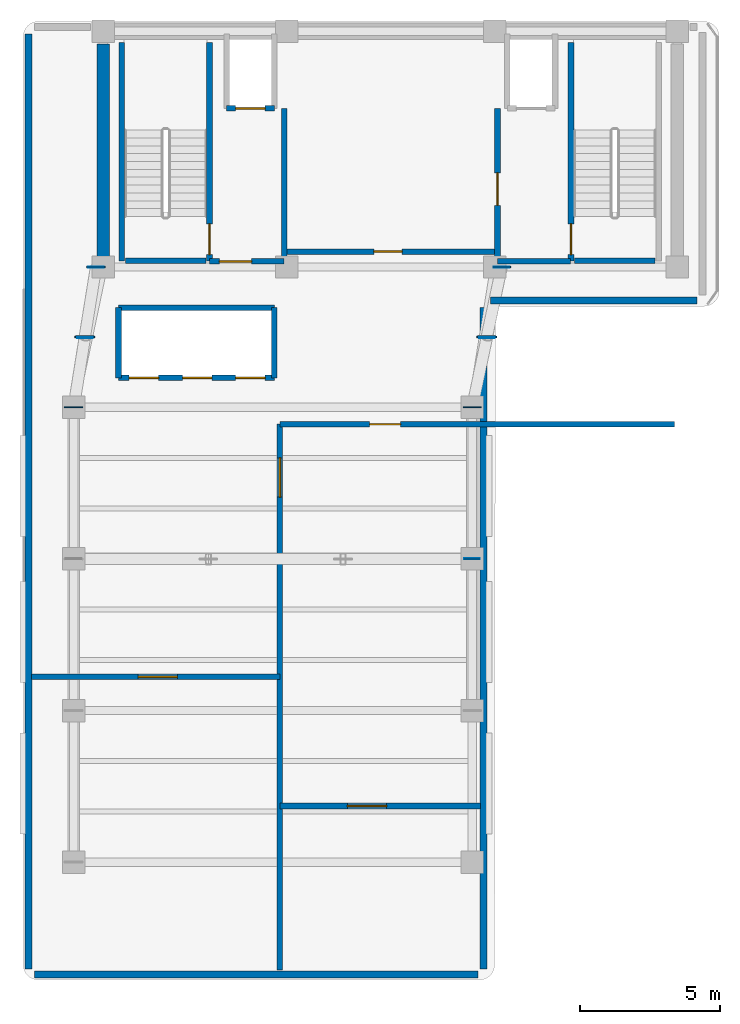
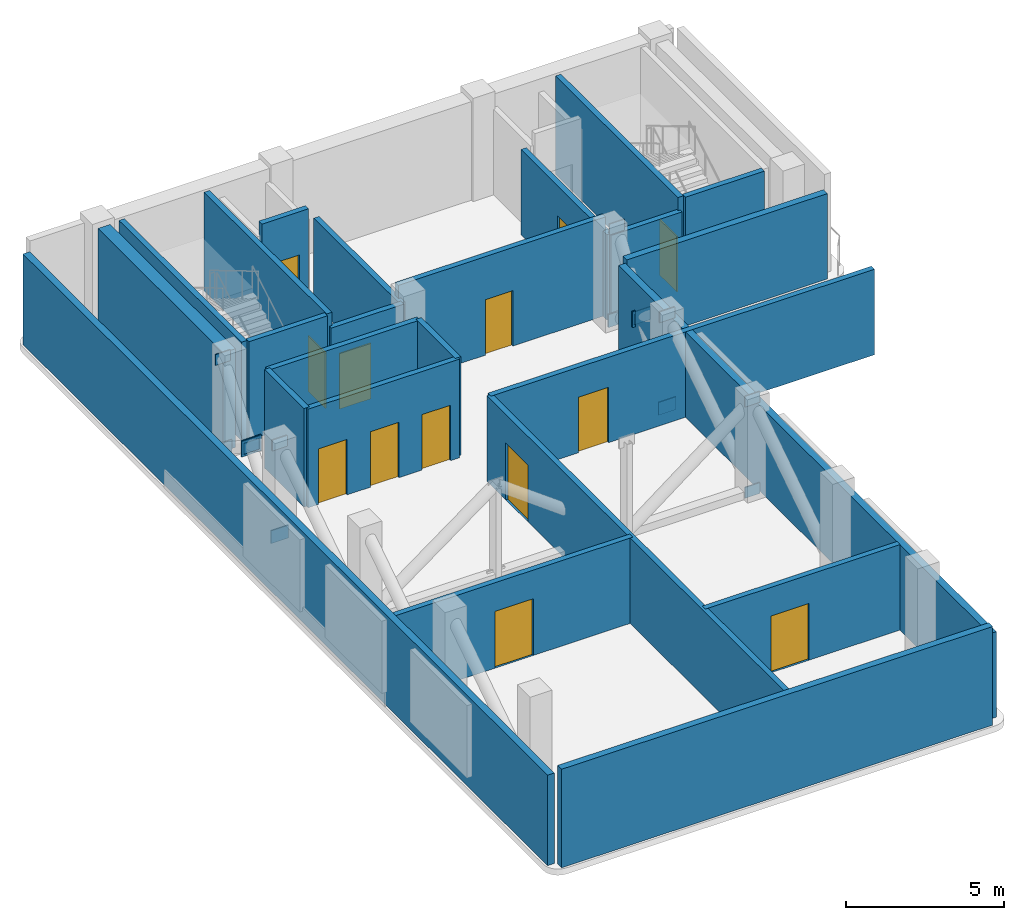
# One storey, part 2 of 5: 24 walls, 16 plates, 13 doors, 13 openings.
"""IFC4 building model written with IfcOpenShell, lengths in metres."""

from ifc_helpers import new_model, si_unit, direction, frame, frame_2d, origin, origin_2d, place, context, subcontext, project, spatial, rectangle, extrude, material, layer, layer_set, type_object, element, fill, save


model = new_model("IFC4")

# Units and contexts
model_context = context("Model", 3, precision=1e-05, world=origin(), true_north=direction((0.0, 1.0)))
body_context = subcontext(model_context, "Body", "Model", "MODEL_VIEW")
ifc_project = project(units=[si_unit("LENGTHUNIT", "METRE"), si_unit("AREAUNIT", "SQUARE_METRE"), si_unit("VOLUMEUNIT", "CUBIC_METRE"), si_unit("PLANEANGLEUNIT", "RADIAN"), si_unit("MASSUNIT", "GRAM", prefix="KILO")], contexts=[model_context])

# Site, building, storey
site_placement = place(None, origin())
site = spatial("IfcSite", under=ifc_project, at=site_placement, CompositionType="ELEMENT")
building_placement = place(site_placement, origin())
building = spatial("IfcBuilding", under=site, at=building_placement, Name="Kuzgunbayir Cultural Tower", CompositionType="ELEMENT")
storey_placement = place(building_placement, frame((0.0, 0.0, 214.39990234375)))
storey = spatial("IfcBuildingStorey", under=building, at=storey_placement, Name="L63", CompositionType="ELEMENT", Elevation=214.39990234375)

# Plates
ifc_material_1 = material(Name="Steel S460M", Category="steel")
ifc_layer_1 = layer(ifc_material_1, 0.034912109375)
ifc_layer_set_1 = layer_set([ifc_layer_1], Name="Steel S460M")
plate_type_1 = type_object("IfcPlateType", Name="PLT-CAP-END-35", PredefinedType="USERDEFINED", material=ifc_layer_set_1)
for number, where, z_axis, x_axis, name in (
    (1, (5.800048828125, 31.280029296875, 1.670166015625), (0.0, 0.0, 1.0), (1.0, 0.0, 0.0), "L63 Hollow End Cap Plate ONT-L63-XW-B1 End"),
    (2, (6.199951171875, 33.800048828125, 3.440185546875), (0.0, 0.0, 1.0), (1.0, 0.0, 0.0), "L63 Hollow End Cap Plate ONT-L63-XW-B2 End"),
    (3, (20.1201171875, 31.280029296875, 1.670166015625), (0.0, 0.0, 1.0), (1.0, 0.0, 0.0), "L63 Hollow End Cap Plate ONT-L63-XE-B1 End"),
    (4, (20.64990234375, 33.800048828125, 3.440185546875), (0.0, 0.0, 1.0), (1.0, 0.0, 0.0), "L63 Hollow End Cap Plate ONT-L63-XE-B2 End"),
    (5, (19.60009765625, 23.39990234375, 3.440185546875), (0.0, 0.0, 1.0), (1.0, 0.0, 0.0), "L63 Hollow End Cap Plate ONT-L63-3 End"),
):
    element("IfcPlate", number, at=place(storey_placement, frame(where, z_axis=z_axis, x_axis=x_axis)), inside=storey, type_object=plate_type_1, Name=name, ObjectType="END_CAP_PLATE", PredefinedType="USERDEFINED", context=body_context, shape_type="SweptSolid", body=[
        extrude(rectangle(XDim=0.550048828125, YDim=0.034912109375, at=origin_2d()), origin(), (0.0, 0.0, 1.0), 0.419921875),
    ])
ifc_layer_2 = layer(ifc_material_1, 0.0400390625)
ifc_layer_set_2 = layer_set([ifc_layer_2], Name="Steel S460M")
plate_type_2 = type_object("IfcPlateType", Name="PLT-CAP-END-40", PredefinedType="USERDEFINED", material=ifc_layer_set_2)
for number, where, z_axis, x_axis, name in (
    (6, (19.60009765625, 23.39990234375, -0.08984375), (0.0, 0.0, 1.0), (1.0, 0.0, 0.0), "L63 Hollow End Cap Plate CHD-L63 End"),
    (7, (5.39990234375, 28.800048828125, 3.440185546875), (0.0, 0.0, 1.0), (1.0, 0.0, 0.0), "L63 Hollow End Cap Plate ONT-L63-XW-A End"),
    (8, (19.60009765625, 28.800048828125, 3.440185546875), (0.0, 0.0, 1.0), (1.0, 0.0, 0.0), "L63 Hollow End Cap Plate ONT-L63-XE-A End"),
):
    element("IfcPlate", number, at=place(storey_placement, frame(where, z_axis=z_axis, x_axis=x_axis)), inside=storey, type_object=plate_type_2, Name=name, ObjectType="END_CAP_PLATE", PredefinedType="USERDEFINED", context=body_context, shape_type="SweptSolid", body=[
        extrude(rectangle(XDim=0.550048828125, YDim=0.0400390625, at=origin_2d()), origin(), (0.0, 0.0, 1.0), 0.419921875),
    ])
ifc_layer_3 = layer(ifc_material_1, 0.044921875)
ifc_layer_set_3 = layer_set([ifc_layer_3], Name="Steel S460M")
plate_type_3 = type_object("IfcPlateType", Name="PLT-NODE-GUSSET-45", PredefinedType="USERDEFINED", material=ifc_layer_set_3)
for number, where, z_axis, x_axis, name in (
    (9, (5.39990234375, 28.800048828125, -0.1298828125), (0.0, 0.0, 1.0), (1.0, 0.0, 0.0), "L63 Truss Gusset Plate ONT-L63-XW-B1 Start"),
    (10, (5.800048828125, 31.320068359375, 1.650146484375), (0.0, 0.0, 1.0), (1.0, 0.0, 0.0), "L63 Truss Gusset Plate ONT-L63-XW-B2 Start"),
    (11, (19.60009765625, 28.800048828125, -0.1298828125), (0.0, 0.0, 1.0), (1.0, 0.0, 0.0), "L63 Truss Gusset Plate ONT-L63-XE-B1 Start"),
    (12, (20.1201171875, 31.320068359375, 1.650146484375), (0.0, 0.0, 1.0), (1.0, 0.0, 0.0), "L63 Truss Gusset Plate ONT-L63-XE-B2 Start"),
):
    element("IfcPlate", number, at=place(storey_placement, frame(where, z_axis=z_axis, x_axis=x_axis)), inside=storey, type_object=plate_type_3, Name=name, ObjectType="GUSSET_PLATE", PredefinedType="USERDEFINED", context=body_context, shape_type="SweptSolid", body=[
        extrude(rectangle(XDim=0.64990234375, YDim=0.044921875, at=origin_2d()), origin(), (0.0, 0.0, 1.0), 0.5),
    ])
ifc_layer_4 = layer(ifc_material_1, 0.050048828125)
ifc_layer_set_4 = layer_set([ifc_layer_4], Name="Steel S460M")
plate_type_4 = type_object("IfcPlateType", Name="PLT-NODE-GUSSET-50", PredefinedType="USERDEFINED", material=ifc_layer_set_4)
plate_1_placement = place(storey_placement, frame((6.199951171875, 33.800048828125, -0.1298828125), z_axis=(0.0, 0.0, 1.0), x_axis=(1.0, 0.0, 0.0)))
element("IfcPlate", 13, at=plate_1_placement, inside=storey, type_object=plate_type_4, Name="L63 Truss Gusset Plate ONT-L63-XW-A Start", ObjectType="GUSSET_PLATE", PredefinedType="USERDEFINED", context=body_context, shape_type="SweptSolid", body=[
    extrude(rectangle(XDim=0.64990234375, YDim=0.050048828125, at=origin_2d()), origin(), (0.0, 0.0, 1.0), 0.5),
])
plate_2_placement = place(storey_placement, frame((5.800048828125, 31.300048828125, 1.580078125), z_axis=(0.0, 0.0, 1.0), x_axis=(1.0, 0.0, 0.0)))
element("IfcPlate", 14, at=plate_2_placement, inside=storey, type_object=plate_type_4, Name="L63 X-Brace Central Crossing Gusset Plate ONT-L63-XW", ObjectType="GUSSET_PLATE", PredefinedType="USERDEFINED", context=body_context, shape_type="SweptSolid", body=[
    extrude(rectangle(XDim=0.719970703125, YDim=0.050048828125, at=origin_2d()), origin(), (0.0, 0.0, 1.0), 0.6201171875),
])
plate_3_placement = place(storey_placement, frame((20.64990234375, 33.800048828125, -0.1298828125), z_axis=(0.0, 0.0, 1.0), x_axis=(1.0, 0.0, 0.0)))
element("IfcPlate", 15, at=plate_3_placement, inside=storey, type_object=plate_type_4, Name="L63 Truss Gusset Plate ONT-L63-XE-A Start", ObjectType="GUSSET_PLATE", PredefinedType="USERDEFINED", context=body_context, shape_type="SweptSolid", body=[
    extrude(rectangle(XDim=0.64990234375, YDim=0.050048828125, at=origin_2d()), origin(), (0.0, 0.0, 1.0), 0.5),
])
plate_4_placement = place(storey_placement, frame((20.1201171875, 31.300048828125, 1.580078125), z_axis=(0.0, 0.0, 1.0), x_axis=(1.0, 0.0, 0.0)))
element("IfcPlate", 16, at=plate_4_placement, inside=storey, type_object=plate_type_4, Name="L63 X-Brace Central Crossing Gusset Plate ONT-L63-XE", ObjectType="GUSSET_PLATE", PredefinedType="USERDEFINED", context=body_context, shape_type="SweptSolid", body=[
    extrude(rectangle(XDim=0.719970703125, YDim=0.050048828125, at=origin_2d()), origin(), (0.0, 0.0, 1.0), 0.6201171875),
])

# Walls
ifc_material_2 = material(Name="Concrete C50/60", Category="concrete")
ifc_layer_5 = layer(ifc_material_2, 0.449951171875)
ifc_layer_set_5 = layer_set([ifc_layer_5], Name="Concrete C50/60")
wall_type_1 = type_object("IfcWallType", Name="WAL-CORE-450", PredefinedType="SHEAR", material=ifc_layer_set_5)
wall_1_placement = place(storey_placement, frame((6.449951171875, 33.800048828125, 0.0), z_axis=(0.0, 0.0, 1.0), x_axis=(0.0, 1.0, 0.0)))
element("IfcWall", 17, at=wall_1_placement, inside=storey, type_object=wall_type_1, Name="L63 T1 Core West Shear Wall", PredefinedType="SHEAR", context=body_context, shape_type="SweptSolid", body=[
    extrude(rectangle(XDim=7.949951171875, YDim=0.449951171875, at=frame_2d((3.97509765625, 0.0))), origin(), (0.0, 0.0, 1.0), 3.820068359375),
])
ifc_material_3 = material(Name="Concrete C40/50", Category="concrete")
ifc_layer_6 = layer(ifc_material_3, 0.25)
ifc_layer_set_6 = layer_set([ifc_layer_6], Name="Concrete C40/50")
wall_type_2 = type_object("IfcWallType", Name="WAL-EXT-PLANT-250", PredefinedType="STANDARD", material=ifc_layer_set_6)
wall_2_placement = place(storey_placement, frame((4.0, 8.60009765625, 0.0), z_axis=(0.0, 0.0, 1.0), x_axis=(1.0, 0.0, 0.0)))
element("IfcWall", 18, at=wall_2_placement, inside=storey, type_object=wall_type_2, Name="L63 Wing A South Limestone Wall", PredefinedType="STANDARD", context=body_context, shape_type="SweptSolid", body=[
    extrude(rectangle(XDim=15.800048828125, YDim=0.25, at=frame_2d((7.89990234375, 0.0))), origin(), (0.0, 0.0, 1.0), 3.820068359375),
])
wall_3_placement = place(storey_placement, frame((3.800048828125, 42.10009765625, 0.0), z_axis=(0.0, 0.0, 1.0), x_axis=(0.0, -1.0, 0.0)))
element("IfcWall", 19, at=wall_3_placement, inside=storey, type_object=wall_type_2, Name="L63 Wing A West Limestone Wall", PredefinedType="STANDARD", context=body_context, shape_type="SweptSolid", body=[
    extrude(rectangle(XDim=33.300048828125, YDim=0.25, at=frame_2d((16.64990234375, 0.0))), origin(), (0.0, 0.0, 1.0), 3.510009765625),
])
wall_4_placement = place(storey_placement, frame((20.0, 8.800048828125, 0.0), z_axis=(0.0, 0.0, 1.0), x_axis=(0.0, 1.0, 0.0)))
element("IfcWall", 20, at=wall_4_placement, inside=storey, type_object=wall_type_2, Name="L63 Wing A East Limestone Wall", PredefinedType="STANDARD", context=body_context, shape_type="SweptSolid", body=[
    extrude(rectangle(XDim=23.550048828125, YDim=0.25, at=frame_2d((11.77490234375, 0.0))), origin(), (0.0, 0.0, 1.0), 3.31005859375),
])
wall_5_placement = place(storey_placement, frame((20.25, 32.60009765625, 0.0), z_axis=(0.0, 0.0, 1.0), x_axis=(1.0, 0.0, 0.0)))
element("IfcWall", 21, at=wall_5_placement, inside=storey, type_object=wall_type_2, Name="L63 Core South Soffit Wall", PredefinedType="STANDARD", context=body_context, shape_type="SweptSolid", body=[
    extrude(rectangle(XDim=7.35009765625, YDim=0.25, at=frame_2d((3.675048828125, 0.0))), origin(), (0.0, 0.0, 1.0), 3.31005859375),
])
ifc_material_4 = material(Name="Aerated Concrete Blockwork", Category="masonry")
ifc_layer_7 = layer(ifc_material_4, 0.199951171875)
ifc_layer_set_7 = layer_set([ifc_layer_7], Name="Aerated Concrete Blockwork")
wall_type_3 = type_object("IfcWallType", Name="WAL-PART-FIRE-200", PredefinedType="PARTITIONING", material=ifc_layer_set_7)
wall_6_placement = place(storey_placement, frame((12.89990234375, 34.0, 0.0), z_axis=(0.0, 0.0, 1.0), x_axis=(0.0, 1.0, 0.0)))
element("IfcWall", 22, at=wall_6_placement, inside=storey, type_object=wall_type_3, Name="L63 FFL-1 Lobby East Fire Wall", PredefinedType="PARTITIONING", context=body_context, shape_type="SweptSolid", body=[
    extrude(rectangle(XDim=5.449951171875, YDim=0.199951171875, at=frame_2d((2.72509765625, 0.0))), origin(), (0.0, 0.0, 1.0), 3.31005859375),
])

# Wall, opening, door
wall_7_placement = place(storey_placement, frame((10.239990234375, 34.0, 0.0), z_axis=(0.0, 0.0, 1.0), x_axis=(1.0, 0.0, 0.0)))
wall_7 = element("IfcWall", 23, at=wall_7_placement, inside=storey, type_object=wall_type_3, Name="L63 FFL-1 Lobby South Fire Wall", PredefinedType="PARTITIONING", context=body_context, shape_type="SweptSolid", body=[
    extrude(rectangle(XDim=2.659912109375, YDim=0.199951171875, at=frame_2d((1.330078125, 0.0))), origin(), (0.0, 0.0, 1.0), 3.31005859375),
])
opening_1_placement = place(wall_7_placement, frame((0.35009765625, 0.0, 0.0)))
opening_1 = element("IfcOpeningElement", 24, at=opening_1_placement, cuts=wall_7, Name="Opening DR-FFL-90", PredefinedType="OPENING", context=body_context, shape_type="SweptSolid", body=[
    extrude(rectangle(XDim=1.14990234375, YDim=2.14990234375, at=frame_2d((0.574951171875, 1.074951171875))), frame((0.0, 0.10986328125, 0.0), z_axis=(0.0, -1.0, 0.0), x_axis=(1.0, 0.0, 0.0)), (0.0, 0.0, 1.0), 0.219970703125),
])
ifc_material_5 = material(Name="Steel S355J2", Category="steel")
door_type_1 = type_object("IfcDoorType", Name="DR-FFL-90", OperationType="NOTDEFINED", PredefinedType="DOOR", material=ifc_material_5)
door_1_placement = place(opening_1_placement, origin())
door_1 = element("IfcDoor", 25, at=door_1_placement, inside=storey, type_object=door_type_1, Name="L63 Firefighting Lobby 1 Door", OperationType="SINGLE_SWING_RIGHT", OverallHeight=2.14990234375, OverallWidth=1.14990234375, PredefinedType="DOOR", context=body_context, shape_type="SweptSolid", body=[
    extrude(rectangle(XDim=1.14990234375, YDim=2.14990234375, at=frame_2d((0.574951171875, 1.074951171875))), frame((0.0, 0.02490234375, 0.0), z_axis=(0.0, -1.0, 0.0), x_axis=(1.0, 0.0, 0.0)), (0.0, 0.0, 1.0), 0.050048828125),
])
fill(opening_1, door_1)

wall_8_placement = place(storey_placement, frame((20.5, 34.0, 0.0), z_axis=(0.0, 0.0, 1.0), x_axis=(0.0, 1.0, 0.0)))
wall_8 = element("IfcWall", 26, at=wall_8_placement, inside=storey, type_object=wall_type_3, Name="L63 FFL-2 Lobby West Fire Wall", PredefinedType="PARTITIONING", context=body_context, shape_type="SweptSolid", body=[
    extrude(rectangle(XDim=5.449951171875, YDim=0.199951171875, at=frame_2d((2.72509765625, 0.0))), origin(), (0.0, 0.0, 1.0), 3.31005859375),
])
opening_2_placement = place(wall_8_placement, frame((2.0, 0.0, 0.0)))
opening_2 = element("IfcOpeningElement", 27, at=opening_2_placement, cuts=wall_8, Name="Opening DR-FFL-90", PredefinedType="OPENING", context=body_context, shape_type="SweptSolid", body=[
    extrude(rectangle(XDim=1.14990234375, YDim=2.14990234375, at=frame_2d((0.574951171875, 1.074951171875))), frame((0.0, 0.10986328125, 0.0), z_axis=(0.0, -1.0, 0.0), x_axis=(1.0, 0.0, 0.0)), (0.0, 0.0, 1.0), 0.219970703125),
])
door_2_placement = place(opening_2_placement, origin())
door_2 = element("IfcDoor", 28, at=door_2_placement, inside=storey, type_object=door_type_1, Name="L63 Firefighting Lobby 2 Door", OperationType="SINGLE_SWING_LEFT", OverallHeight=2.14990234375, OverallWidth=1.14990234375, PredefinedType="DOOR", context=body_context, shape_type="SweptSolid", body=[
    extrude(rectangle(XDim=1.14990234375, YDim=2.14990234375, at=frame_2d((0.574951171875, 1.074951171875))), frame((0.0, 0.02490234375, 0.0), z_axis=(0.0, -1.0, 0.0), x_axis=(1.0, 0.0, 0.0)), (0.0, 0.0, 1.0), 0.050048828125),
])
fill(opening_2, door_2)

# Wall
wall_9_placement = place(storey_placement, frame((20.5, 34.0, 0.0), z_axis=(0.0, 0.0, 1.0), x_axis=(1.0, 0.0, 0.0)))
element("IfcWall", 29, at=wall_9_placement, inside=storey, type_object=wall_type_3, Name="L63 FFL-2 Lobby South Fire Wall", PredefinedType="PARTITIONING", context=body_context, shape_type="SweptSolid", body=[
    extrude(rectangle(XDim=2.60009765625, YDim=0.199951171875, at=frame_2d((1.300048828125, 0.0))), origin(), (0.0, 0.0, 1.0), 3.31005859375),
])

# Wall, opening, door
wall_10_placement = place(storey_placement, frame((12.89990234375, 34.35009765625, 0.0), z_axis=(0.0, 0.0, 1.0), x_axis=(1.0, 0.0, 0.0)))
wall_10 = element("IfcWall", 30, at=wall_10_placement, inside=storey, type_object=wall_type_3, Name="L63 Refuge Core South Fire Wall", PredefinedType="PARTITIONING", context=body_context, shape_type="SweptSolid", body=[
    extrude(rectangle(XDim=7.60009765625, YDim=0.199951171875, at=frame_2d((3.800048828125, 0.0))), origin(), (0.0, 0.0, 1.0), 3.820068359375),
])
opening_3_placement = place(wall_10_placement, frame((3.199951171875, 0.0, 0.0)))
opening_3 = element("IfcOpeningElement", 31, at=opening_3_placement, cuts=wall_10, Name="Opening DC-100", PredefinedType="OPENING", context=body_context, shape_type="SweptSolid", body=[
    extrude(rectangle(XDim=1.0, YDim=2.14990234375, at=frame_2d((0.5, 1.074951171875))), frame((0.0, 0.10986328125, 0.0), z_axis=(0.0, -1.0, 0.0), x_axis=(1.0, 0.0, 0.0)), (0.0, 0.0, 1.0), 0.219970703125),
])
ifc_material_6 = material(Name="Fire-Rated Veneered Oak Leaf", Category="wood")
door_type_2 = type_object("IfcDoorType", Name="DR-CORE-100", OperationType="NOTDEFINED", PredefinedType="DOOR", material=ifc_material_6)
door_3_placement = place(opening_3_placement, origin())
door_3 = element("IfcDoor", 32, at=door_3_placement, inside=storey, type_object=door_type_2, Name="L63 Refuge Switchroom Door", OperationType="SINGLE_SWING_RIGHT", OverallHeight=2.14990234375, OverallWidth=1.0, PredefinedType="DOOR", context=body_context, shape_type="SweptSolid", body=[
    extrude(rectangle(XDim=1.0, YDim=2.14990234375, at=frame_2d((0.5, 1.074951171875))), frame((0.0, 0.02490234375, 0.0), z_axis=(0.0, -1.0, 0.0), x_axis=(1.0, 0.0, 0.0)), (0.0, 0.0, 1.0), 0.050048828125),
])
fill(opening_3, door_3)

wall_11_placement = place(storey_placement, frame((12.75, 28.199951171875, 0.0), z_axis=(0.0, 0.0, 1.0), x_axis=(1.0, 0.0, 0.0)))
wall_11 = element("IfcWall", 33, at=wall_11_placement, inside=storey, type_object=wall_type_3, Name="L63 Plant Corridor South Fire Wall", PredefinedType="PARTITIONING", context=body_context, shape_type="SweptSolid", body=[
    extrude(rectangle(XDim=14.050048828125, YDim=0.199951171875, at=frame_2d((7.02490234375, 0.0))), origin(), (0.0, 0.0, 1.0), 3.31005859375),
])
opening_4_placement = place(wall_11_placement, frame((3.199951171875, 0.0, 0.0)))
opening_4 = element("IfcOpeningElement", 34, at=opening_4_placement, cuts=wall_11, Name="Opening DR-STAIR-90", PredefinedType="OPENING", context=body_context, shape_type="SweptSolid", body=[
    extrude(rectangle(XDim=1.10009765625, YDim=2.14990234375, at=frame_2d((0.550048828125, 1.074951171875))), frame((0.0, 0.10986328125, 0.0), z_axis=(0.0, -1.0, 0.0), x_axis=(1.0, 0.0, 0.0)), (0.0, 0.0, 1.0), 0.219970703125),
])
door_type_3 = type_object("IfcDoorType", Name="DR-STAIR-90", OperationType="NOTDEFINED", PredefinedType="DOOR", material=ifc_material_5)
door_4_placement = place(opening_4_placement, origin())
door_4 = element("IfcDoor", 35, at=door_4_placement, inside=storey, type_object=door_type_3, Name="L63 Sky Refuge Entry Door", OperationType="SINGLE_SWING_LEFT", OverallHeight=2.14990234375, OverallWidth=1.10009765625, PredefinedType="DOOR", context=body_context, shape_type="SweptSolid", body=[
    extrude(rectangle(XDim=1.10009765625, YDim=2.14990234375, at=frame_2d((0.550048828125, 1.074951171875))), frame((0.0, 0.02490234375, 0.0), z_axis=(0.0, -1.0, 0.0), x_axis=(1.0, 0.0, 0.0)), (0.0, 0.0, 1.0), 0.050048828125),
])
fill(opening_4, door_4)

wall_12_placement = place(storey_placement, frame((12.75, 8.75, 0.0), z_axis=(0.0, 0.0, 1.0), x_axis=(0.0, 1.0, 0.0)))
wall_12 = element("IfcWall", 36, at=wall_12_placement, inside=storey, type_object=wall_type_3, Name="L63 Refuge Area West Fire Wall", PredefinedType="PARTITIONING", context=body_context, shape_type="SweptSolid", body=[
    extrude(rectangle(XDim=19.449951171875, YDim=0.199951171875, at=frame_2d((9.72509765625, 0.0))), origin(), (0.0, 0.0, 1.0), 3.31005859375),
])
opening_5_placement = place(wall_12_placement, frame((16.85009765625, 0.0, 0.0)))
opening_5 = element("IfcOpeningElement", 37, at=opening_5_placement, cuts=wall_12, Name="Opening DR-PLANT-90", PredefinedType="OPENING", context=body_context, shape_type="SweptSolid", body=[
    extrude(rectangle(XDim=1.39990234375, YDim=2.199951171875, at=frame_2d((0.699951171875, 1.10009765625))), frame((0.0, 0.10986328125, 0.0), z_axis=(0.0, -1.0, 0.0), x_axis=(1.0, 0.0, 0.0)), (0.0, 0.0, 1.0), 0.219970703125),
])
ifc_material_7 = material(Name="Acoustic Steel Double Leaf", Category="steel")
door_type_4 = type_object("IfcDoorType", Name="DR-PLANT-90", OperationType="DOUBLE_DOOR_SINGLE_SWING", PredefinedType="DOOR", material=ifc_material_7)
door_5_placement = place(opening_5_placement, origin())
door_5 = element("IfcDoor", 38, at=door_5_placement, inside=storey, type_object=door_type_4, Name="L63 North AHU Plant Door", OperationType="DOUBLE_DOOR_SINGLE_SWING", OverallHeight=2.199951171875, OverallWidth=1.39990234375, PredefinedType="DOOR", context=body_context, shape_type="SweptSolid", body=[
    extrude(rectangle(XDim=1.39990234375, YDim=2.199951171875, at=frame_2d((0.699951171875, 1.10009765625))), frame((0.0, 0.02490234375, 0.0), z_axis=(0.0, -1.0, 0.0), x_axis=(1.0, 0.0, 0.0)), (0.0, 0.0, 1.0), 0.050048828125),
])
fill(opening_5, door_5)

wall_13_placement = place(storey_placement, frame((12.75, 14.60009765625, 0.0), z_axis=(0.0, 0.0, 1.0), x_axis=(1.0, 0.0, 0.0)))
wall_13 = element("IfcWall", 39, at=wall_13_placement, inside=storey, type_object=wall_type_3, Name="L63 South Plant Fire Wall", PredefinedType="PARTITIONING", context=body_context, shape_type="SweptSolid", body=[
    extrude(rectangle(XDim=7.14990234375, YDim=0.199951171875, at=frame_2d((3.574951171875, 0.0))), origin(), (0.0, 0.0, 1.0), 3.31005859375),
])
opening_6_placement = place(wall_13_placement, frame((2.39990234375, 0.0, 0.0)))
opening_6 = element("IfcOpeningElement", 40, at=opening_6_placement, cuts=wall_13, Name="Opening DR-PLANT-90", PredefinedType="OPENING", context=body_context, shape_type="SweptSolid", body=[
    extrude(rectangle(XDim=1.39990234375, YDim=2.199951171875, at=frame_2d((0.699951171875, 1.10009765625))), frame((0.0, 0.10986328125, 0.0), z_axis=(0.0, -1.0, 0.0), x_axis=(1.0, 0.0, 0.0)), (0.0, 0.0, 1.0), 0.219970703125),
])
door_6_placement = place(opening_6_placement, origin())
door_6 = element("IfcDoor", 41, at=door_6_placement, inside=storey, type_object=door_type_4, Name="L63 Electrical Plant Door", OperationType="DOUBLE_DOOR_SINGLE_SWING", OverallHeight=2.199951171875, OverallWidth=1.39990234375, PredefinedType="DOOR", context=body_context, shape_type="SweptSolid", body=[
    extrude(rectangle(XDim=1.39990234375, YDim=2.199951171875, at=frame_2d((0.699951171875, 1.10009765625))), frame((0.0, 0.02490234375, 0.0), z_axis=(0.0, -1.0, 0.0), x_axis=(1.0, 0.0, 0.0)), (0.0, 0.0, 1.0), 0.050048828125),
])
fill(opening_6, door_6)

wall_14_placement = place(storey_placement, frame((3.89990234375, 19.199951171875, 0.0), z_axis=(0.0, 0.0, 1.0), x_axis=(1.0, 0.0, 0.0)))
wall_14 = element("IfcWall", 42, at=wall_14_placement, inside=storey, type_object=wall_type_3, Name="L63 West Plant Sub-Compartment Wall", PredefinedType="PARTITIONING", context=body_context, shape_type="SweptSolid", body=[
    extrude(rectangle(XDim=8.85009765625, YDim=0.199951171875, at=frame_2d((4.425048828125, 0.0))), origin(), (0.0, 0.0, 1.0), 3.31005859375),
])
opening_7_placement = place(wall_14_placement, frame((3.800048828125, 0.0, 0.0)))
opening_7 = element("IfcOpeningElement", 43, at=opening_7_placement, cuts=wall_14, Name="Opening DR-PLANT-90", PredefinedType="OPENING", context=body_context, shape_type="SweptSolid", body=[
    extrude(rectangle(XDim=1.39990234375, YDim=2.199951171875, at=frame_2d((0.699951171875, 1.10009765625))), frame((0.0, 0.10986328125, 0.0), z_axis=(0.0, -1.0, 0.0), x_axis=(1.0, 0.0, 0.0)), (0.0, 0.0, 1.0), 0.219970703125),
])
door_7_placement = place(opening_7_placement, origin())
door_7 = element("IfcDoor", 44, at=door_7_placement, inside=storey, type_object=door_type_4, Name="L63 South Plant Sub-Compartment Door", OperationType="DOUBLE_DOOR_SINGLE_SWING", OverallHeight=2.199951171875, OverallWidth=1.39990234375, PredefinedType="DOOR", context=body_context, shape_type="SweptSolid", body=[
    extrude(rectangle(XDim=1.39990234375, YDim=2.199951171875, at=frame_2d((0.699951171875, 1.10009765625))), frame((0.0, 0.02490234375, 0.0), z_axis=(0.0, -1.0, 0.0), x_axis=(1.0, 0.0, 0.0)), (0.0, 0.0, 1.0), 0.050048828125),
])
fill(opening_7, door_7)

# Wall, openings, doors
ifc_layer_8 = layer(ifc_material_3, 0.199951171875)
ifc_layer_set_8 = layer_set([ifc_layer_8], Name="Concrete C40/50")
wall_type_4 = type_object("IfcWallType", Name="WAL-SHAFT-200", PredefinedType="MOVABLE", material=ifc_layer_set_8)
wall_15_placement = place(storey_placement, frame((7.0, 29.85009765625, 0.0), z_axis=(0.0, 0.0, 1.0), x_axis=(1.0, 0.0, 0.0)))
wall_15 = element("IfcWall", 45, at=wall_15_placement, inside=storey, type_object=wall_type_4, Name="L63 High-Rise Lift Shaft South Wall", PredefinedType="MOVABLE", context=body_context, shape_type="SweptSolid", body=[
    extrude(rectangle(XDim=5.550048828125, YDim=0.199951171875, at=frame_2d((2.77490234375, 0.0))), origin(), (0.0, 0.0, 1.0), 3.820068359375),
])
opening_8_placement = place(wall_15_placement, frame((0.3798828125, 0.0, 0.0)))
opening_8 = element("IfcOpeningElement", 46, at=opening_8_placement, cuts=wall_15, Name="Opening LD", PredefinedType="OPENING", context=body_context, shape_type="SweptSolid", body=[
    extrude(rectangle(XDim=1.050048828125, YDim=2.14990234375, at=frame_2d((0.52490234375, 1.074951171875))), frame((0.0, 0.10986328125, 0.0), z_axis=(0.0, -1.0, 0.0), x_axis=(1.0, 0.0, 0.0)), (0.0, 0.0, 1.0), 0.219970703125),
])
opening_9_placement = place(wall_15_placement, frame((2.280029296875, 0.0, 0.0)))
opening_9 = element("IfcOpeningElement", 47, at=opening_9_placement, cuts=wall_15, Name="Opening LD", PredefinedType="OPENING", context=body_context, shape_type="SweptSolid", body=[
    extrude(rectangle(XDim=1.050048828125, YDim=2.14990234375, at=frame_2d((0.52490234375, 1.074951171875))), frame((0.0, 0.10986328125, 0.0), z_axis=(0.0, -1.0, 0.0), x_axis=(1.0, 0.0, 0.0)), (0.0, 0.0, 1.0), 0.219970703125),
])
opening_10_placement = place(wall_15_placement, frame((4.169921875, 0.0, 0.0)))
opening_10 = element("IfcOpeningElement", 48, at=opening_10_placement, cuts=wall_15, Name="Opening LD", PredefinedType="OPENING", context=body_context, shape_type="SweptSolid", body=[
    extrude(rectangle(XDim=1.050048828125, YDim=2.14990234375, at=frame_2d((0.52490234375, 1.074951171875))), frame((0.0, 0.10986328125, 0.0), z_axis=(0.0, -1.0, 0.0), x_axis=(1.0, 0.0, 0.0)), (0.0, 0.0, 1.0), 0.219970703125),
])
ifc_material_8 = material(Name="Brushed Stainless Steel", Category="steel")
door_type_5 = type_object("IfcDoorType", Name="DR-LIFT-LANDING", OperationType="SLIDING_TO_LEFT", PredefinedType="DOOR", material=ifc_material_8)
door_8_placement = place(opening_8_placement, origin())
door_8 = element("IfcDoor", 49, at=door_8_placement, inside=storey, type_object=door_type_5, Name="L63 Lift PH-1 Landing Door", OperationType="SLIDING_TO_LEFT", OverallHeight=2.14990234375, OverallWidth=1.050048828125, PredefinedType="DOOR", context=body_context, shape_type="SweptSolid", body=[
    extrude(rectangle(XDim=1.050048828125, YDim=2.14990234375, at=frame_2d((0.52490234375, 1.074951171875))), frame((0.0, 0.02490234375, 0.0), z_axis=(0.0, -1.0, 0.0), x_axis=(1.0, 0.0, 0.0)), (0.0, 0.0, 1.0), 0.050048828125),
])
fill(opening_8, door_8)
door_9_placement = place(opening_9_placement, origin())
door_9 = element("IfcDoor", 50, at=door_9_placement, inside=storey, type_object=door_type_5, Name="L63 Lift PH-2 Landing Door", OperationType="SLIDING_TO_LEFT", OverallHeight=2.14990234375, OverallWidth=1.050048828125, PredefinedType="DOOR", context=body_context, shape_type="SweptSolid", body=[
    extrude(rectangle(XDim=1.050048828125, YDim=2.14990234375, at=frame_2d((0.52490234375, 1.074951171875))), frame((0.0, 0.02490234375, 0.0), z_axis=(0.0, -1.0, 0.0), x_axis=(1.0, 0.0, 0.0)), (0.0, 0.0, 1.0), 0.050048828125),
])
fill(opening_9, door_9)
door_10_placement = place(opening_10_placement, origin())
door_10 = element("IfcDoor", 51, at=door_10_placement, inside=storey, type_object=door_type_5, Name="L63 Lift PH-3 Landing Door", OperationType="SLIDING_TO_LEFT", OverallHeight=2.14990234375, OverallWidth=1.050048828125, PredefinedType="DOOR", context=body_context, shape_type="SweptSolid", body=[
    extrude(rectangle(XDim=1.050048828125, YDim=2.14990234375, at=frame_2d((0.52490234375, 1.074951171875))), frame((0.0, 0.02490234375, 0.0), z_axis=(0.0, -1.0, 0.0), x_axis=(1.0, 0.0, 0.0)), (0.0, 0.0, 1.0), 0.050048828125),
])
fill(opening_10, door_10)

# Walls
wall_16_placement = place(storey_placement, frame((7.0, 32.35009765625, 0.0), z_axis=(0.0, 0.0, 1.0), x_axis=(1.0, 0.0, 0.0)))
element("IfcWall", 52, at=wall_16_placement, inside=storey, type_object=wall_type_4, Name="L63 High-Rise Lift Shaft North Wall", PredefinedType="MOVABLE", context=body_context, shape_type="SweptSolid", body=[
    extrude(rectangle(XDim=5.550048828125, YDim=0.199951171875, at=frame_2d((2.77490234375, 0.0))), origin(), (0.0, 0.0, 1.0), 3.820068359375),
])
for number, where, z_axis, x_axis, name in (
    (53, (7.0, 29.85009765625, 0.0), (0.0, 0.0, 1.0), (0.0, 1.0, 0.0), "L63 High-Rise Lift Shaft West Wall"),
    (54, (12.550048828125, 29.85009765625, 0.0), (0.0, 0.0, 1.0), (0.0, 1.0, 0.0), "L63 High-Rise Lift Shaft East Wall"),
):
    element("IfcWall", number, at=place(storey_placement, frame(where, z_axis=z_axis, x_axis=x_axis)), inside=storey, type_object=wall_type_4, Name=name, PredefinedType="MOVABLE", context=body_context, shape_type="SweptSolid", body=[
        extrude(rectangle(XDim=2.5, YDim=0.199951171875, at=frame_2d((1.25, 0.0))), origin(), (0.0, 0.0, 1.0), 3.820068359375),
    ])

# Wall, opening, door
wall_17_placement = place(storey_placement, frame((10.85009765625, 39.449951171875, 0.0), z_axis=(0.0, 0.0, 1.0), x_axis=(1.0, 0.0, 0.0)))
wall_17 = element("IfcWall", 55, at=wall_17_placement, inside=storey, type_object=wall_type_4, Name="L63 FFL-1 Lift Front Wall", PredefinedType="MOVABLE", context=body_context, shape_type="SweptSolid", body=[
    extrude(rectangle(XDim=1.699951171875, YDim=0.199951171875, at=frame_2d((0.85009765625, 0.0))), origin(), (0.0, 0.0, 1.0), 3.820068359375),
])
opening_11_placement = place(wall_17_placement, frame((0.320068359375, 0.0, 0.0)))
opening_11 = element("IfcOpeningElement", 56, at=opening_11_placement, cuts=wall_17, Name="Opening LD", PredefinedType="OPENING", context=body_context, shape_type="SweptSolid", body=[
    extrude(rectangle(XDim=1.050048828125, YDim=2.14990234375, at=frame_2d((0.52490234375, 1.074951171875))), frame((0.0, 0.10986328125, 0.0), z_axis=(0.0, -1.0, 0.0), x_axis=(1.0, 0.0, 0.0)), (0.0, 0.0, 1.0), 0.219970703125),
])
door_11_placement = place(opening_11_placement, origin())
door_11 = element("IfcDoor", 57, at=door_11_placement, inside=storey, type_object=door_type_5, Name="L63 Lift FFL-1 Landing Door", OperationType="SLIDING_TO_LEFT", OverallHeight=2.14990234375, OverallWidth=1.050048828125, PredefinedType="DOOR", context=body_context, shape_type="SweptSolid", body=[
    extrude(rectangle(XDim=1.050048828125, YDim=2.14990234375, at=frame_2d((0.52490234375, 1.074951171875))), frame((0.0, 0.02490234375, 0.0), z_axis=(0.0, -1.0, 0.0), x_axis=(1.0, 0.0, 0.0)), (0.0, 0.0, 1.0), 0.050048828125),
])
fill(opening_11, door_11)

# Wall
ifc_layer_9 = layer(ifc_material_3, 0.199951171875)
ifc_layer_set_9 = layer_set([ifc_layer_9], Name="Concrete C40/50")
wall_type_5 = type_object("IfcWallType", Name="WAL-STAIR-RC-200", PredefinedType="SHEAR", material=ifc_layer_set_9)
wall_18_placement = place(storey_placement, frame((7.1201171875, 34.02001953125, 0.0), z_axis=(0.0, 0.0, 1.0), x_axis=(0.0, 1.0, 0.0)))
element("IfcWall", 58, at=wall_18_placement, inside=storey, type_object=wall_type_5, Name="L63 Stair ST-1 West Structural Wall", PredefinedType="SHEAR", context=body_context, shape_type="SweptSolid", body=[
    extrude(rectangle(XDim=7.780029296875, YDim=0.199951171875, at=frame_2d((3.89013671875, 0.0))), origin(), (0.0, 0.0, 1.0), 3.820068359375),
])

# Wall, opening, door
wall_19_placement = place(storey_placement, frame((10.239990234375, 34.02001953125, 0.0), z_axis=(0.0, 0.0, 1.0), x_axis=(0.0, 1.0, 0.0)))
wall_19 = element("IfcWall", 59, at=wall_19_placement, inside=storey, type_object=wall_type_5, Name="L63 Stair ST-1 East Structural Wall", PredefinedType="SHEAR", context=body_context, shape_type="SweptSolid", body=[
    extrude(rectangle(XDim=7.780029296875, YDim=0.199951171875, at=frame_2d((3.89013671875, 0.0))), origin(), (0.0, 0.0, 1.0), 3.820068359375),
])
opening_12_placement = place(wall_19_placement, frame((0.219970703125, 0.0, 0.0)))
opening_12 = element("IfcOpeningElement", 60, at=opening_12_placement, cuts=wall_19, Name="Opening DR-STAIR-90", PredefinedType="OPENING", context=body_context, shape_type="SweptSolid", body=[
    extrude(rectangle(XDim=1.10009765625, YDim=2.14990234375, at=frame_2d((0.550048828125, 1.074951171875))), frame((0.0, 0.10986328125, 0.0), z_axis=(0.0, -1.0, 0.0), x_axis=(1.0, 0.0, 0.0)), (0.0, 0.0, 1.0), 0.219970703125),
])
door_12_placement = place(opening_12_placement, origin())
door_12 = element("IfcDoor", 61, at=door_12_placement, inside=storey, type_object=door_type_3, Name="L63 Stair ST-1 Fire Door", OperationType="SINGLE_SWING_LEFT", OverallHeight=2.14990234375, OverallWidth=1.10009765625, PredefinedType="DOOR", context=body_context, shape_type="SweptSolid", body=[
    extrude(rectangle(XDim=1.10009765625, YDim=2.14990234375, at=frame_2d((0.550048828125, 1.074951171875))), frame((0.0, 0.02490234375, 0.0), z_axis=(0.0, -1.0, 0.0), x_axis=(1.0, 0.0, 0.0)), (0.0, 0.0, 1.0), 0.050048828125),
])
fill(opening_12, door_12)

# Wall
wall_20_placement = place(storey_placement, frame((7.239990234375, 34.02001953125, 0.0), z_axis=(0.0, 0.0, 1.0), x_axis=(1.0, 0.0, 0.0)))
element("IfcWall", 62, at=wall_20_placement, inside=storey, type_object=wall_type_5, Name="L63 Stair ST-1 South Structural Wall", PredefinedType="SHEAR", context=body_context, shape_type="SweptSolid", body=[
    extrude(rectangle(XDim=2.880126953125, YDim=0.199951171875, at=frame_2d((1.43994140625, 0.0))), origin(), (0.0, 0.0, 1.0), 3.820068359375),
])

# Wall, opening, door
wall_21_placement = place(storey_placement, frame((23.1201171875, 34.02001953125, 0.0), z_axis=(0.0, 0.0, 1.0), x_axis=(0.0, 1.0, 0.0)))
wall_21 = element("IfcWall", 63, at=wall_21_placement, inside=storey, type_object=wall_type_5, Name="L63 Stair ST-2 West Structural Wall", PredefinedType="SHEAR", context=body_context, shape_type="SweptSolid", body=[
    extrude(rectangle(XDim=7.780029296875, YDim=0.199951171875, at=frame_2d((3.89013671875, 0.0))), origin(), (0.0, 0.0, 1.0), 3.820068359375),
])
opening_13_placement = place(wall_21_placement, frame((0.219970703125, 0.0, 0.0)))
opening_13 = element("IfcOpeningElement", 64, at=opening_13_placement, cuts=wall_21, Name="Opening DR-STAIR-90", PredefinedType="OPENING", context=body_context, shape_type="SweptSolid", body=[
    extrude(rectangle(XDim=1.10009765625, YDim=2.14990234375, at=frame_2d((0.550048828125, 1.074951171875))), frame((0.0, 0.10986328125, 0.0), z_axis=(0.0, -1.0, 0.0), x_axis=(1.0, 0.0, 0.0)), (0.0, 0.0, 1.0), 0.219970703125),
])
door_13_placement = place(opening_13_placement, origin())
door_13 = element("IfcDoor", 65, at=door_13_placement, inside=storey, type_object=door_type_3, Name="L63 Stair ST-2 Fire Door", OperationType="SINGLE_SWING_LEFT", OverallHeight=2.14990234375, OverallWidth=1.10009765625, PredefinedType="DOOR", context=body_context, shape_type="SweptSolid", body=[
    extrude(rectangle(XDim=1.10009765625, YDim=2.14990234375, at=frame_2d((0.550048828125, 1.074951171875))), frame((0.0, 0.02490234375, 0.0), z_axis=(0.0, -1.0, 0.0), x_axis=(1.0, 0.0, 0.0)), (0.0, 0.0, 1.0), 0.050048828125),
])
fill(opening_13, door_13)

# Wall
wall_22_placement = place(storey_placement, frame((23.239990234375, 34.02001953125, 0.0), z_axis=(0.0, 0.0, 1.0), x_axis=(1.0, 0.0, 0.0)))
element("IfcWall", 66, at=wall_22_placement, inside=storey, type_object=wall_type_5, Name="L63 Stair ST-2 South Structural Wall", PredefinedType="SHEAR", context=body_context, shape_type="SweptSolid", body=[
    extrude(rectangle(XDim=2.880126953125, YDim=0.199951171875, at=frame_2d((1.43994140625, 0.0))), origin(), (0.0, 0.0, 1.0), 3.820068359375),
])

save(model, "model.ifc")
